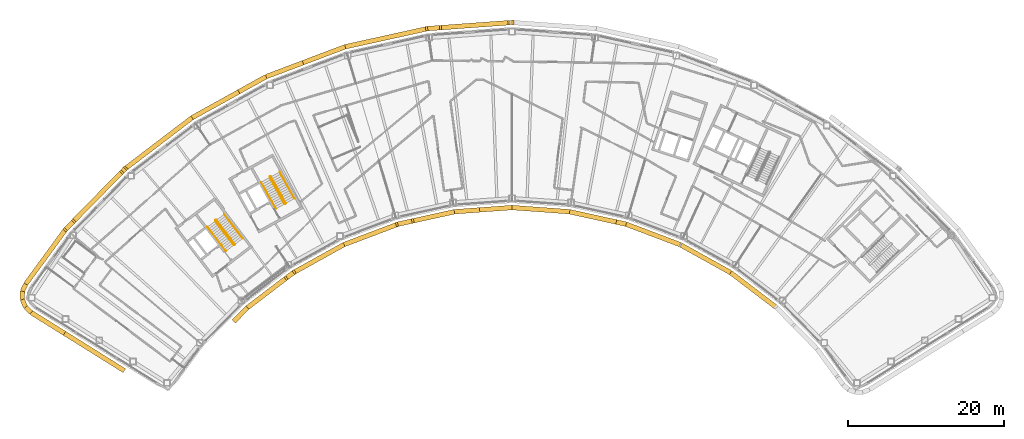
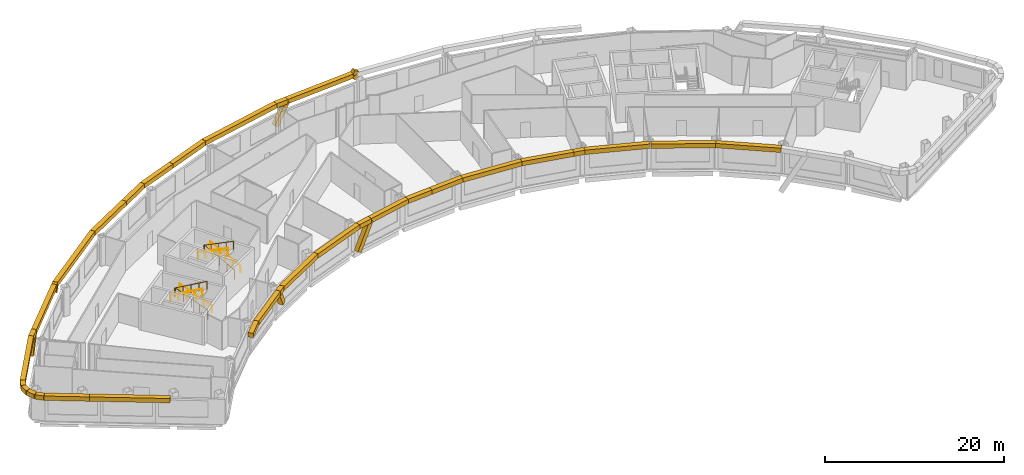
# One storey, part 13 of 14: 40 coverings, 6 railings.
"""IFC4 building model written with IfcOpenShell, lengths in metres."""

from ifc_helpers import new_model, si_unit, direction, frame, origin, origin_2d, place, context, subcontext, project, spatial, rectangle, circle, extrude, material, material_profile, profile_set, type_object, element, save


model = new_model("IFC4")

# Units and contexts
model_context = context("Model", 3, precision=1e-05, world=origin(), true_north=direction((0.0, 1.0)))
body_context = subcontext(model_context, "Body", "Model", "MODEL_VIEW")
ifc_project = project(units=[si_unit("LENGTHUNIT", "METRE"), si_unit("AREAUNIT", "SQUARE_METRE"), si_unit("VOLUMEUNIT", "CUBIC_METRE"), si_unit("PLANEANGLEUNIT", "RADIAN"), si_unit("MASSUNIT", "GRAM", prefix="KILO")], contexts=[model_context])

# Site, building, storey
site_placement = place(None, origin())
site = spatial("IfcSite", under=ifc_project, at=site_placement, CompositionType="ELEMENT")
building_placement = place(site_placement, origin())
building = spatial("IfcBuilding", under=site, at=building_placement, Name="Tuul Gate Civic Tower", CompositionType="ELEMENT")
storey_placement = place(building_placement, frame((0.0, 0.0, 323.89990234375)))
storey = spatial("IfcBuildingStorey", under=building, at=storey_placement, Name="Level 73", CompositionType="ELEMENT", Elevation=323.89990234375)

# Railings
ifc_material_1 = material(Name="Painted steel", Category="steel")
railing_type_1 = type_object("IfcRailingType", Name="Stair guard", PredefinedType="GUARDRAIL", material=ifc_material_1)
railing_1_placement = place(storey_placement, frame((-33.382080078125, -13.515380859375, 0.0)))
element("IfcRailing", 1, at=railing_1_placement, inside=storey, type_object=railing_type_1, Name="Level 73 ST-1 stair guard 1", PredefinedType="GUARDRAIL", context=body_context, shape_type="SweptSolid", body=[
    extrude(circle(Radius=0.02392578125, at=origin_2d()), frame((0.0, 0.0, 1.076171875), z_axis=(-0.795879841968, -0.605454603706, 0.0), x_axis=(0.605454603706, -0.795879841968, 0.0)), (0.0, 0.0, 1.0), 0.10009765625),
    extrude(circle(Radius=0.02392578125, at=origin_2d()), frame((-0.07958984375, -0.060546875, 1.076171875), z_axis=(0.408676696321, 0.599019267211, 0.688592241747), x_axis=(-0.826063974707, 0.563576356576, 0.0)), (0.0, 0.0, 1.0), 0.218017578125),
    extrude(circle(Radius=0.02392578125, at=origin_2d()), frame((0.009521484375, 0.070068359375, 1.22607421875), z_axis=(-0.541824460341, 0.711645023348, 0.447199748346), x_axis=(-0.795637165283, -0.60577347352, 0.0)), (0.0, 0.0, 1.0), 4.3603515625),
    extrude(circle(Radius=0.02392578125, at=origin_2d()), frame((-2.35302734375, 3.173095703125, 3.17626953125), z_axis=(-0.990893089246, 0.134650977284, 0.0), x_axis=(-0.134650977284, -0.990893089246, 0.0)), (0.0, 0.0, 1.0), 0.07080078125),
    extrude(circle(Radius=0.02392578125, at=origin_2d()), frame((-2.423095703125, 3.1826171875, 3.17626953125), z_axis=(-0.793802879778, -0.60817512943, 0.0), x_axis=(0.60817512943, -0.793802879778, 0.0)), (0.0, 0.0, 1.0), 0.099853515625),
    extrude(circle(Radius=0.02392578125, at=origin_2d()), frame((-2.50244140625, 3.121826171875, 3.17626953125), z_axis=(-0.057447065493, -0.422751481959, 0.904423031091), x_axis=(0.990893089246, -0.134650977284, 0.0)), (0.0, 0.0, 1.0), 0.165771484375),
    extrude(circle(Radius=0.02392578125, at=origin_2d()), frame((-2.511962890625, 3.0517578125, 3.326171875), z_axis=(0.541792925989, -0.711621155064, 0.447275929392), x_axis=(0.795644365679, 0.605764016233, 0.0)), (0.0, 0.0, 1.0), 4.360107421875),
    extrude(circle(Radius=0.02099609375, at=origin_2d()), origin(), (0.0, 0.0, 1.0), 1.052001953125),
    extrude(circle(Radius=0.02099609375, at=origin_2d()), frame((-0.07958984375, -0.060546875, 0.0)), (0.0, 0.0, 1.0), 1.052001953125),
    extrude(circle(Radius=0.02099609375, at=origin_2d()), frame((0.009521484375, 0.070068359375, 0.150146484375)), (0.0, 0.0, 1.0), 1.052001953125),
    extrude(circle(Radius=0.02099609375, at=origin_2d()), frame((-0.5810546875, 0.845703125, 0.6376953125)), (0.0, 0.0, 1.0), 1.052001953125),
    extrude(circle(Radius=0.02099609375, at=origin_2d()), frame((-1.171875, 1.62158203125, 1.125)), (0.0, 0.0, 1.0), 1.052001953125),
    extrude(circle(Radius=0.02099609375, at=origin_2d()), frame((-1.762451171875, 2.3974609375, 1.612548828125)), (0.0, 0.0, 1.0), 1.052001953125),
    extrude(circle(Radius=0.02099609375, at=origin_2d()), frame((-2.35302734375, 3.173095703125, 2.10009765625)), (0.0, 0.0, 1.0), 1.052001953125),
    extrude(circle(Radius=0.02099609375, at=origin_2d()), frame((-2.423095703125, 3.1826171875, 2.10009765625)), (0.0, 0.0, 1.0), 1.052001953125),
    extrude(circle(Radius=0.02099609375, at=origin_2d()), frame((-2.50244140625, 3.121826171875, 2.10009765625)), (0.0, 0.0, 1.0), 1.052001953125),
    extrude(circle(Radius=0.02099609375, at=origin_2d()), frame((-2.511962890625, 3.0517578125, 2.25)), (0.0, 0.0, 1.0), 1.052001953125),
    extrude(circle(Radius=0.02099609375, at=origin_2d()), frame((-1.92138671875, 2.276123046875, 2.737548828125)), (0.0, 0.0, 1.0), 1.052001953125),
    extrude(circle(Radius=0.02099609375, at=origin_2d()), frame((-1.330810546875, 1.50048828125, 3.22509765625)), (0.0, 0.0, 1.0), 1.052001953125),
    extrude(circle(Radius=0.02099609375, at=origin_2d()), frame((-0.740234375, 0.724609375, 3.712646484375)), (0.0, 0.0, 1.0), 1.052001953125),
    extrude(circle(Radius=0.02099609375, at=origin_2d()), frame((-0.149658203125, -0.051025390625, 4.2001953125)), (0.0, 0.0, 1.0), 1.052001953125),
])
railing_2_placement = place(storey_placement, frame((-26.857666015625, -8.247314453125, 0.0)))
element("IfcRailing", 2, at=railing_2_placement, inside=storey, type_object=railing_type_1, Name="Level 73 ST-2 stair guard 1", PredefinedType="GUARDRAIL", context=body_context, shape_type="SweptSolid", body=[
    extrude(circle(Radius=0.02392578125, at=origin_2d()), frame((0.0, 0.0, 1.076171875), z_axis=(-0.874616555828, -0.48481530532, 0.0), x_axis=(0.48481530532, -0.874616555828, 0.0)), (0.0, 0.0, 1.0), 0.10009765625),
    extrude(circle(Radius=0.02392578125, at=origin_2d()), frame((-0.087646484375, -0.048583984375, 1.076171875), z_axis=(0.490435707169, 0.534104639999, 0.688625479244), x_axis=(-0.736576986774, 0.676353711126, 0.0)), (0.0, 0.0, 1.0), 0.218017578125),
    extrude(circle(Radius=0.02392578125, at=origin_2d()), frame((0.019287109375, 0.06787109375, 1.22607421875), z_axis=(-0.43354991378, 0.782327185242, 0.447212083348), x_axis=(-0.874667644053, -0.484723129681, 0.0)), (0.0, 0.0, 1.0), 4.3603515625),
    extrude(circle(Radius=0.02392578125, at=origin_2d()), frame((-1.87109375, 3.47900390625, 3.17626953125), z_axis=(-0.961263487578, 0.275631107549, 0.0), x_axis=(-0.275631107549, -0.961263487578, 0.0)), (0.0, 0.0, 1.0), 0.07080078125),
    extrude(circle(Radius=0.02392578125, at=origin_2d()), frame((-1.939208984375, 3.49853515625, 3.17626953125), z_axis=(-0.874042088414, -0.485850211157, 0.0), x_axis=(0.485850211157, -0.874042088414, 0.0)), (0.0, 0.0, 1.0), 0.10009765625),
    extrude(circle(Radius=0.02392578125, at=origin_2d()), frame((-2.026611328125, 3.449951171875, 3.17626953125), z_axis=(-0.117866478395, -0.409586012422, 0.90462522168), x_axis=(0.961000426733, -0.276546885391, 0.0)), (0.0, 0.0, 1.0), 0.165771484375),
    extrude(circle(Radius=0.02392578125, at=origin_2d()), frame((-2.046142578125, 3.382080078125, 3.326171875), z_axis=(0.433584522764, -0.782288604346, 0.447246018574), x_axis=(0.874641102302, 0.484771020343, 0.0)), (0.0, 0.0, 1.0), 4.3603515625),
    extrude(circle(Radius=0.02099609375, at=origin_2d()), origin(), (0.0, 0.0, 1.0), 1.052001953125),
    extrude(circle(Radius=0.02099609375, at=origin_2d()), frame((-0.087646484375, -0.048583984375, 0.0)), (0.0, 0.0, 1.0), 1.052001953125),
    extrude(circle(Radius=0.02099609375, at=origin_2d()), frame((0.019287109375, 0.06787109375, 0.150146484375)), (0.0, 0.0, 1.0), 1.052001953125),
    extrude(circle(Radius=0.02099609375, at=origin_2d()), frame((-0.453369140625, 0.920654296875, 0.6376953125)), (0.0, 0.0, 1.0), 1.052001953125),
    extrude(circle(Radius=0.02099609375, at=origin_2d()), frame((-0.92578125, 1.7734375, 1.125)), (0.0, 0.0, 1.0), 1.052001953125),
    extrude(circle(Radius=0.02099609375, at=origin_2d()), frame((-1.3984375, 2.626220703125, 1.612548828125)), (0.0, 0.0, 1.0), 1.052001953125),
    extrude(circle(Radius=0.02099609375, at=origin_2d()), frame((-1.87109375, 3.47900390625, 2.10009765625)), (0.0, 0.0, 1.0), 1.052001953125),
    extrude(circle(Radius=0.02099609375, at=origin_2d()), frame((-1.939208984375, 3.49853515625, 2.10009765625)), (0.0, 0.0, 1.0), 1.052001953125),
    extrude(circle(Radius=0.02099609375, at=origin_2d()), frame((-2.026611328125, 3.449951171875, 2.10009765625)), (0.0, 0.0, 1.0), 1.052001953125),
    extrude(circle(Radius=0.02099609375, at=origin_2d()), frame((-2.046142578125, 3.382080078125, 2.25)), (0.0, 0.0, 1.0), 1.052001953125),
    extrude(circle(Radius=0.02099609375, at=origin_2d()), frame((-1.573486328125, 2.529296875, 2.737548828125)), (0.0, 0.0, 1.0), 1.052001953125),
    extrude(circle(Radius=0.02099609375, at=origin_2d()), frame((-1.100830078125, 1.676513671875, 3.22509765625)), (0.0, 0.0, 1.0), 1.052001953125),
    extrude(circle(Radius=0.02099609375, at=origin_2d()), frame((-0.628173828125, 0.82373046875, 3.712646484375)), (0.0, 0.0, 1.0), 1.052001953125),
    extrude(circle(Radius=0.02099609375, at=origin_2d()), frame((-0.155517578125, -0.029052734375, 4.2001953125)), (0.0, 0.0, 1.0), 1.052001953125),
])
ifc_material_2 = material(Name="Painted steel", Category="steel")
railing_type_2 = type_object("IfcRailingType", Name="Stair handrail", PredefinedType="HANDRAIL", material=ifc_material_2)
railing_3_placement = place(storey_placement, frame((-32.3779296875, -12.688232421875, 0.150146484375)))
element("IfcRailing", 3, at=railing_3_placement, inside=storey, type_object=railing_type_2, Name="Level 73 ST-1 stair handrail 1", PredefinedType="HANDRAIL", context=body_context, shape_type="SweptSolid", body=[
    extrude(circle(Radius=0.02392578125, at=origin_2d()), frame((0.0, 0.0, 0.8759765625), z_axis=(-0.541824460341, 0.711645023348, 0.447199748346), x_axis=(-0.795637165283, -0.60577347352, 0.0)), (0.0, 0.0, 1.0), 4.3603515625),
    extrude(circle(Radius=0.02099609375, at=origin_2d()), origin(), (0.0, 0.0, 1.0), 0.851806640625),
    extrude(circle(Radius=0.02099609375, at=origin_2d()), frame((-0.590576171875, 0.77587890625, 0.487548828125)), (0.0, 0.0, 1.0), 0.851806640625),
    extrude(circle(Radius=0.02099609375, at=origin_2d()), frame((-1.18115234375, 1.551513671875, 0.97509765625)), (0.0, 0.0, 1.0), 0.851806640625),
    extrude(circle(Radius=0.02099609375, at=origin_2d()), frame((-1.77197265625, 2.3271484375, 1.46240234375)), (0.0, 0.0, 1.0), 0.851806640625),
    extrude(circle(Radius=0.02099609375, at=origin_2d()), frame((-2.362548828125, 3.10302734375, 1.949951171875)), (0.0, 0.0, 1.0), 0.851806640625),
])
railing_4_placement = place(storey_placement, frame((-36.888671875, -11.220703125, 2.25)))
element("IfcRailing", 4, at=railing_4_placement, inside=storey, type_object=railing_type_2, Name="Level 73 ST-1 stair handrail 2", PredefinedType="HANDRAIL", context=body_context, shape_type="SweptSolid", body=[
    extrude(circle(Radius=0.02392578125, at=origin_2d()), frame((0.0, 0.0, 0.8759765625), z_axis=(0.541810893183, -0.711627203922, 0.44724454012), x_axis=(0.795637165283, 0.60577347352, 0.0)), (0.0, 0.0, 1.0), 4.3603515625),
    extrude(circle(Radius=0.02099609375, at=origin_2d()), origin(), (0.0, 0.0, 1.0), 0.851806640625),
    extrude(circle(Radius=0.02099609375, at=origin_2d()), frame((0.590576171875, -0.77587890625, 0.487548828125)), (0.0, 0.0, 1.0), 0.851806640625),
    extrude(circle(Radius=0.02099609375, at=origin_2d()), frame((1.18115234375, -1.551513671875, 0.97509765625)), (0.0, 0.0, 1.0), 0.851806640625),
    extrude(circle(Radius=0.02099609375, at=origin_2d()), frame((1.77197265625, -2.3271484375, 1.462646484375)), (0.0, 0.0, 1.0), 0.851806640625),
    extrude(circle(Radius=0.02099609375, at=origin_2d()), frame((2.362548828125, -3.10302734375, 1.9501953125)), (0.0, 0.0, 1.0), 0.851806640625),
])
railing_5_placement = place(storey_placement, frame((-25.744873046875, -7.573486328125, 0.150146484375)))
element("IfcRailing", 5, at=railing_5_placement, inside=storey, type_object=railing_type_2, Name="Level 73 ST-2 stair handrail 1", PredefinedType="HANDRAIL", context=body_context, shape_type="SweptSolid", body=[
    extrude(circle(Radius=0.02392578125, at=origin_2d()), frame((0.0, 0.0, 0.8759765625), z_axis=(-0.433595379963, 0.782308193291, 0.447201226726), x_axis=(-0.874641102302, -0.484771020343, 0.0)), (0.0, 0.0, 1.0), 4.3603515625),
    extrude(circle(Radius=0.02099609375, at=origin_2d()), origin(), (0.0, 0.0, 1.0), 0.851806640625),
    extrude(circle(Radius=0.02099609375, at=origin_2d()), frame((-0.47265625, 0.852783203125, 0.487548828125)), (0.0, 0.0, 1.0), 0.851806640625),
    extrude(circle(Radius=0.02099609375, at=origin_2d()), frame((-0.9453125, 1.70556640625, 0.97509765625)), (0.0, 0.0, 1.0), 0.851806640625),
    extrude(circle(Radius=0.02099609375, at=origin_2d()), frame((-1.41796875, 2.558349609375, 1.46240234375)), (0.0, 0.0, 1.0), 0.851806640625),
    extrude(circle(Radius=0.02099609375, at=origin_2d()), frame((-1.890625, 3.4111328125, 1.949951171875)), (0.0, 0.0, 1.0), 0.851806640625),
])
railing_6_placement = place(storey_placement, frame((-29.9970703125, -5.47119140625, 2.25)))
element("IfcRailing", 6, at=railing_6_placement, inside=storey, type_object=railing_type_2, Name="Level 73 ST-2 stair handrail 2", PredefinedType="HANDRAIL", context=body_context, shape_type="SweptSolid", body=[
    extrude(circle(Radius=0.02392578125, at=origin_2d()), frame((0.0, 0.0, 0.8759765625), z_axis=(0.433584522764, -0.782288604346, 0.447246018574), x_axis=(0.874641102302, 0.484771020343, 0.0)), (0.0, 0.0, 1.0), 4.3603515625),
    extrude(circle(Radius=0.02099609375, at=origin_2d()), origin(), (0.0, 0.0, 1.0), 0.851806640625),
    extrude(circle(Radius=0.02099609375, at=origin_2d()), frame((0.47265625, -0.852783203125, 0.487548828125)), (0.0, 0.0, 1.0), 0.851806640625),
    extrude(circle(Radius=0.02099609375, at=origin_2d()), frame((0.9453125, -1.70556640625, 0.97509765625)), (0.0, 0.0, 1.0), 0.851806640625),
    extrude(circle(Radius=0.02099609375, at=origin_2d()), frame((1.41796875, -2.558349609375, 1.462646484375)), (0.0, 0.0, 1.0), 0.851806640625),
    extrude(circle(Radius=0.02099609375, at=origin_2d()), frame((1.890625, -3.4111328125, 1.9501953125)), (0.0, 0.0, 1.0), 0.851806640625),
])

# Coverings
ifc_material_3 = material(Name="Terracotta baguette", Category="masonry")
ifc_material_profile = material_profile(ifc_material_3, rectangle(XDim=0.60009765625, YDim=0.60009765625, at=origin_2d()), Name="Terracotta baguette screen frame")
ifc_profile_set = profile_set([ifc_material_profile], Name="Terracotta baguette")
covering_type = type_object("IfcCoveringType", Name="Terracotta baguette screen frame", PredefinedType="CLADDING", material=ifc_profile_set)
for number, where, z_axis, x_axis, name in (
    (7, (2.19189453125, 15.031005859375, 4.348388671875), (-0.473817740473, -0.034490827332, -0.879947232306), (0.072601349588, -0.997361039964, 0.0), "Baguette 70"),
    (8, (1.923583984375, 15.011474609375, 3.85009765625), (0.473817740473, 0.034490827332, -0.879947232306), (-0.072601349588, 0.997361039964, 0.0), "Baguette 73"),
):
    element("IfcCovering", number, at=place(storey_placement, frame(where, z_axis=z_axis, x_axis=x_axis)), inside=storey, type_object=covering_type, Name=name, PredefinedType="CLADDING", context=body_context, shape_type="SweptSolid", body=[
        extrude(rectangle(XDim=0.60009765625, YDim=0.60009765625, at=origin_2d()), origin(), (0.0, 0.0, 1.0), 0.566162109375),
    ])
covering_1_placement = place(storey_placement, frame((1.923583984375, 15.011474609375, 3.85009765625), z_axis=(-0.997388280851, -0.072226153297, 0.0), x_axis=(0.072226153297, -0.997388280851, 0.0)))
element("IfcCovering", 9, at=covering_1_placement, inside=storey, type_object=covering_type, Name="Baguette 75", PredefinedType="CLADDING", context=body_context, shape_type="SweptSolid", body=[
    extrude(rectangle(XDim=0.60009765625, YDim=0.60009765625, at=origin_2d()), origin(), (0.0, 0.0, 1.0), 9.072509765625),
])
covering_2_placement = place(storey_placement, frame((-7.125244140625, 14.356201171875, 3.85009765625), z_axis=(-0.473925270025, -0.034362464834, -0.879894345613), x_axis=(0.072316243879, -0.997381752826, 0.0)))
element("IfcCovering", 10, at=covering_2_placement, inside=storey, type_object=covering_type, Name="Baguette 79", PredefinedType="CLADDING", context=body_context, shape_type="SweptSolid", body=[
    extrude(rectangle(XDim=0.60009765625, YDim=0.60009765625, at=origin_2d()), origin(), (0.0, 0.0, 1.0), 3.17578125),
])
covering_3_placement = place(storey_placement, frame((-24.637939453125, 9.865478515625, 3.85009765625), z_axis=(-0.935351328768, -0.353720075442, 0.0), x_axis=(0.353720075442, -0.935351328768, 0.0)))
element("IfcCovering", 11, at=covering_3_placement, inside=storey, type_object=covering_type, Name="Baguette 96", PredefinedType="CLADDING", context=body_context, shape_type="SweptSolid", body=[
    extrude(rectangle(XDim=0.60009765625, YDim=0.60009765625, at=origin_2d()), origin(), (0.0, 0.0, 1.0), 5.06689453125),
])
covering_4_placement = place(storey_placement, frame((-29.377197265625, 8.0732421875, 3.85009765625), z_axis=(-0.874628361903, -0.484794006312, 0.0), x_axis=(0.484794006312, -0.874628361903, 0.0)))
element("IfcCovering", 12, at=covering_4_placement, inside=storey, type_object=covering_type, Name="Baguette 97", PredefinedType="CLADDING", context=body_context, shape_type="SweptSolid", body=[
    extrude(rectangle(XDim=0.60009765625, YDim=0.60009765625, at=origin_2d()), origin(), (0.0, 0.0, 1.0), 4.005615234375),
])
covering_5_placement = place(storey_placement, frame((-47.81494140625, -4.080810546875, 3.85009765625), z_axis=(0.332463914637, 0.339201297163, -0.880005809905), x_axis=(-0.714163745237, 0.699978674667, 0.0)))
element("IfcCovering", 13, at=covering_5_placement, inside=storey, type_object=covering_type, Name="Baguette 115", PredefinedType="CLADDING", context=body_context, shape_type="SweptSolid", body=[
    extrude(rectangle(XDim=0.60009765625, YDim=0.60009765625, at=origin_2d()), origin(), (0.0, 0.0, 1.0), 0.942138671875),
])
covering_6_placement = place(storey_placement, frame((-47.81494140625, -4.080810546875, 3.85009765625), z_axis=(-0.700034819682, -0.714108711075, 0.0), x_axis=(0.714108711075, -0.700034819682, 0.0)))
element("IfcCovering", 14, at=covering_6_placement, inside=storey, type_object=covering_type, Name="Baguette 117", PredefinedType="CLADDING", context=body_context, shape_type="SweptSolid", body=[
    extrude(rectangle(XDim=0.60009765625, YDim=0.60009765625, at=origin_2d()), origin(), (0.0, 0.0, 1.0), 9.072509765625),
])
covering_7_placement = place(storey_placement, frame((-54.166015625, -10.5595703125, 3.85009765625), z_axis=(-0.33267215135, -0.339297697341, -0.879889943285), x_axis=(0.714044065429, -0.70010075891, 0.0)))
element("IfcCovering", 15, at=covering_7_placement, inside=storey, type_object=covering_type, Name="Baguette 121", PredefinedType="CLADDING", context=body_context, shape_type="SweptSolid", body=[
    extrude(rectangle(XDim=0.60009765625, YDim=0.60009765625, at=origin_2d()), origin(), (0.0, 0.0, 1.0), 2.800537109375),
])
covering_8_placement = place(storey_placement, frame((-55.253662109375, -24.88232421875, 3.85009765625), z_axis=(0.848051326016, -0.529914095342, 0.0), x_axis=(0.529914095342, 0.848051326016, 0.0)))
element("IfcCovering", 16, at=covering_8_placement, inside=storey, type_object=covering_type, Name="Baguette 150", PredefinedType="CLADDING", context=body_context, shape_type="SweptSolid", body=[
    extrude(rectangle(XDim=0.60009765625, YDim=0.60009765625, at=origin_2d()), origin(), (0.0, 0.0, 1.0), 9.052978515625),
])
covering_9_placement = place(storey_placement, frame((-33.515869140625, -23.349853515625, 3.85009765625), z_axis=(0.700137306503, 0.714008229675, 0.0), x_axis=(-0.714008229675, 0.700137306503, 0.0)))
element("IfcCovering", 17, at=covering_9_placement, inside=storey, type_object=covering_type, Name="Baguette 181", PredefinedType="CLADDING", context=body_context, shape_type="SweptSolid", body=[
    extrude(rectangle(XDim=0.60009765625, YDim=0.60009765625, at=origin_2d()), origin(), (0.0, 0.0, 1.0), 2.481689453125),
])
covering_10_placement = place(storey_placement, frame((-31.7783203125, -21.577880859375, 3.85009765625), z_axis=(0.795568060783, 0.60586422626, 0.0), x_axis=(-0.60586422626, 0.795568060783, 0.0)))
element("IfcCovering", 18, at=covering_10_placement, inside=storey, type_object=covering_type, Name="Baguette 182", PredefinedType="CLADDING", context=body_context, shape_type="SweptSolid", body=[
    extrude(rectangle(XDim=0.60009765625, YDim=0.60009765625, at=origin_2d()), origin(), (0.0, 0.0, 1.0), 6.370361328125),
])
covering_11_placement = place(storey_placement, frame((-26.710205078125, -17.71826171875, 3.85009765625), z_axis=(0.370809590506, 0.282480203725, -0.884706268822), x_axis=(-0.605987035724, 0.795474520356, 0.0)))
element("IfcCovering", 19, at=covering_11_placement, inside=storey, type_object=covering_type, Name="Baguette 186", PredefinedType="CLADDING", context=body_context, shape_type="SweptSolid", body=[
    extrude(rectangle(XDim=0.60009765625, YDim=0.60009765625, at=origin_2d()), origin(), (0.0, 0.0, 1.0), 2.2470703125),
])
covering_12_placement = place(storey_placement, frame((-10.672607421875, -10.471923828125, 3.85009765625), z_axis=(-0.455229347503, -0.100335498866, -0.884702791247), x_axis=(0.215240395152, -0.976561095014, 0.0)))
element("IfcCovering", 20, at=covering_12_placement, inside=storey, type_object=covering_type, Name="Baguette 204", PredefinedType="CLADDING", context=body_context, shape_type="SweptSolid", body=[
    extrude(rectangle(XDim=0.60009765625, YDim=0.60009765625, at=origin_2d()), origin(), (0.0, 0.0, 1.0), 3.9052734375),
])
covering_13_placement = place(storey_placement, frame((-10.672607421875, -10.471923828125, 3.85009765625), z_axis=(0.97655816768, 0.215253676247, 0.0), x_axis=(-0.215253676247, 0.97655816768, 0.0)))
element("IfcCovering", 21, at=covering_13_placement, inside=storey, type_object=covering_type, Name="Baguette 206", PredefinedType="CLADDING", context=body_context, shape_type="SweptSolid", body=[
    extrude(rectangle(XDim=0.60009765625, YDim=0.60009765625, at=origin_2d()), origin(), (0.0, 0.0, 1.0), 5.59716796875),
])
covering_14_placement = place(storey_placement, frame((-5.20654296875, -9.26708984375, 3.85009765625), z_axis=(0.997387381497, 0.072238571629, 0.0), x_axis=(-0.072238571629, 0.997387381497, 0.0)))
element("IfcCovering", 22, at=covering_14_placement, inside=storey, type_object=covering_type, Name="Baguette 207", PredefinedType="CLADDING", context=body_context, shape_type="SweptSolid", body=[
    extrude(rectangle(XDim=0.60009765625, YDim=0.60009765625, at=origin_2d()), origin(), (0.0, 0.0, 1.0), 3.254638671875),
])
covering_15_placement = place(storey_placement, frame((15.569580078125, -10.5849609375, 3.85009765625), z_axis=(0.976558162371, -0.215253700333, 0.0), x_axis=(0.215253700333, 0.976558162371, 0.0)))
element("IfcCovering", 23, at=covering_15_placement, inside=storey, type_object=covering_type, Name="Baguette 229", PredefinedType="CLADDING", context=body_context, shape_type="SweptSolid", body=[
    extrude(rectangle(XDim=0.60009765625, YDim=0.60009765625, at=origin_2d()), origin(), (0.0, 0.0, 1.0), 1.295166015625),
])
covering_16_placement = place(storey_placement, frame((16.83447265625, -10.86376953125, 3.85009765625), z_axis=(0.935368082117, -0.353675770951, 0.0), x_axis=(0.353675770951, 0.935368082117, 0.0)))
element("IfcCovering", 24, at=covering_16_placement, inside=storey, type_object=covering_type, Name="Baguette 230", PredefinedType="CLADDING", context=body_context, shape_type="SweptSolid", body=[
    extrude(rectangle(XDim=0.60009765625, YDim=0.60009765625, at=origin_2d()), origin(), (0.0, 0.0, 1.0), 7.41796875),
])
covering_17_placement = place(storey_placement, frame((-7.125244140625, 14.356201171875, 3.85009765625), z_axis=(-0.997381752826, -0.072316243879, 0.0), x_axis=(0.072316243879, -0.997381752826, 0.0)))
element("IfcCovering", 25, at=covering_17_placement, inside=storey, type_object=covering_type, Name="Baguette 305", PredefinedType="CLADDING", context=body_context, shape_type="SweptSolid", body=[
    extrude(rectangle(XDim=0.60009765625, YDim=0.60009765625, at=origin_2d()), origin(), (0.0, 0.0, 1.0), 1.509033203125),
])
covering_18_placement = place(storey_placement, frame((-8.63037109375, 14.2470703125, 3.85009765625), z_axis=(-0.976565652409, -0.215219716881, 0.0), x_axis=(0.215219716881, -0.976565652409, 0.0)))
element("IfcCovering", 26, at=covering_18_placement, inside=storey, type_object=covering_type, Name="Baguette 306", PredefinedType="CLADDING", context=body_context, shape_type="SweptSolid", body=[
    extrude(rectangle(XDim=0.60009765625, YDim=0.60009765625, at=origin_2d()), origin(), (0.0, 0.0, 1.0), 10.8515625),
])
covering_19_placement = place(storey_placement, frame((-19.2275390625, 11.91162109375, 3.85009765625), z_axis=(-0.93534552268, -0.353735428256, 0.0), x_axis=(0.353735428256, -0.93534552268, 0.0)))
element("IfcCovering", 27, at=covering_19_placement, inside=storey, type_object=covering_type, Name="Baguette 307", PredefinedType="CLADDING", context=body_context, shape_type="SweptSolid", body=[
    extrude(rectangle(XDim=0.60009765625, YDim=0.60009765625, at=origin_2d()), origin(), (0.0, 0.0, 1.0), 5.784423828125),
])
covering_20_placement = place(storey_placement, frame((-32.880615234375, 6.13134765625, 3.85009765625), z_axis=(-0.874626201683, -0.484797903595, 0.0), x_axis=(0.484797903595, -0.874626201683, 0.0)))
element("IfcCovering", 28, at=covering_20_placement, inside=storey, type_object=covering_type, Name="Baguette 311", PredefinedType="CLADDING", context=body_context, shape_type="SweptSolid", body=[
    extrude(rectangle(XDim=0.60009765625, YDim=0.60009765625, at=origin_2d()), origin(), (0.0, 0.0, 1.0), 6.845947265625),
])
covering_21_placement = place(storey_placement, frame((-38.8681640625, 2.8125, 3.85009765625), z_axis=(-0.795618643442, -0.605797799771, 0.0), x_axis=(0.605797799771, -0.795618643442, 0.0)))
element("IfcCovering", 29, at=covering_21_placement, inside=storey, type_object=covering_type, Name="Baguette 312", PredefinedType="CLADDING", context=body_context, shape_type="SweptSolid", body=[
    extrude(rectangle(XDim=0.60009765625, YDim=0.60009765625, at=origin_2d()), origin(), (0.0, 0.0, 1.0), 10.851318359375),
])
covering_22_placement = place(storey_placement, frame((-47.501708984375, -3.76123046875, 3.85009765625), z_axis=(-0.699978674667, -0.714163745237, 0.0), x_axis=(0.714163745237, -0.699978674667, 0.0)))
element("IfcCovering", 30, at=covering_22_placement, inside=storey, type_object=covering_type, Name="Baguette 313", PredefinedType="CLADDING", context=body_context, shape_type="SweptSolid", body=[
    extrude(rectangle(XDim=0.60009765625, YDim=0.60009765625, at=origin_2d()), origin(), (0.0, 0.0, 1.0), 0.447509765625),
])
covering_23_placement = place(storey_placement, frame((-54.166015625, -10.5595703125, 3.85009765625), z_axis=(-0.70010075891, -0.714044065429, 0.0), x_axis=(0.714044065429, -0.70010075891, 0.0)))
element("IfcCovering", 31, at=covering_23_placement, inside=storey, type_object=covering_type, Name="Baguette 317", PredefinedType="CLADDING", context=body_context, shape_type="SweptSolid", body=[
    extrude(rectangle(XDim=0.60009765625, YDim=0.60009765625, at=origin_2d()), origin(), (0.0, 0.0, 1.0), 1.330810546875),
])
covering_24_placement = place(storey_placement, frame((-55.09765625, -11.509765625, 3.85009765625), z_axis=(-0.589759370017, -0.807579027388, 0.0), x_axis=(0.807579027388, -0.589759370017, 0.0)))
element("IfcCovering", 32, at=covering_24_placement, inside=storey, type_object=covering_type, Name="Baguette 318", PredefinedType="CLADDING", context=body_context, shape_type="SweptSolid", body=[
    extrude(rectangle(XDim=0.60009765625, YDim=0.60009765625, at=origin_2d()), origin(), (0.0, 0.0, 1.0), 8.734619140625),
])
covering_25_placement = place(storey_placement, frame((-60.2490234375, -18.563720703125, 3.85009765625), z_axis=(-0.413598168861, -0.910459529422, 0.0), x_axis=(0.910459529422, -0.413598168861, 0.0)))
element("IfcCovering", 33, at=covering_25_placement, inside=storey, type_object=covering_type, Name="Baguette 319", PredefinedType="CLADDING", context=body_context, shape_type="SweptSolid", body=[
    extrude(rectangle(XDim=0.60009765625, YDim=0.60009765625, at=origin_2d()), origin(), (0.0, 0.0, 1.0), 0.988037109375),
])
covering_26_placement = place(storey_placement, frame((-60.65771484375, -19.46337890625, 3.85009765625), z_axis=(-0.014401798397, -0.999896288723, 0.0), x_axis=(0.999896288723, -0.014401798397, 0.0)))
element("IfcCovering", 34, at=covering_26_placement, inside=storey, type_object=covering_type, Name="Baguette 320", PredefinedType="CLADDING", context=body_context, shape_type="SweptSolid", body=[
    extrude(rectangle(XDim=0.60009765625, YDim=0.60009765625, at=origin_2d()), origin(), (0.0, 0.0, 1.0), 1.06787109375),
])
covering_27_placement = place(storey_placement, frame((-60.673095703125, -20.53125, 3.85009765625), z_axis=(0.38567152588, -0.92263615479, 0.0), x_axis=(0.92263615479, 0.38567152588, 0.0)))
element("IfcCovering", 35, at=covering_27_placement, inside=storey, type_object=covering_type, Name="Baguette 321", PredefinedType="CLADDING", context=body_context, shape_type="SweptSolid", body=[
    extrude(rectangle(XDim=0.60009765625, YDim=0.60009765625, at=origin_2d()), origin(), (0.0, 0.0, 1.0), 1.066650390625),
])
covering_28_placement = place(storey_placement, frame((-60.26171875, -21.515380859375, 3.85009765625), z_axis=(0.722013911671, -0.691878538006, 0.0), x_axis=(0.691878538006, 0.722013911671, 0.0)))
element("IfcCovering", 36, at=covering_28_placement, inside=storey, type_object=covering_type, Name="Baguette 322", PredefinedType="CLADDING", context=body_context, shape_type="SweptSolid", body=[
    extrude(rectangle(XDim=0.60009765625, YDim=0.60009765625, at=origin_2d()), origin(), (0.0, 0.0, 1.0), 0.98828125),
])
covering_29_placement = place(storey_placement, frame((-59.548095703125, -22.19921875, 3.85009765625), z_axis=(0.848079553138, -0.529868919215, 0.0), x_axis=(0.529868919215, 0.848079553138, 0.0)))
element("IfcCovering", 37, at=covering_29_placement, inside=storey, type_object=covering_type, Name="Baguette 323", PredefinedType="CLADDING", context=body_context, shape_type="SweptSolid", body=[
    extrude(rectangle(XDim=0.60009765625, YDim=0.60009765625, at=origin_2d()), origin(), (0.0, 0.0, 1.0), 5.063720703125),
])
covering_30_placement = place(storey_placement, frame((-26.710205078125, -17.71826171875, 3.85009765625), z_axis=(0.795474520356, 0.605987035724, 0.0), x_axis=(-0.605987035724, 0.795474520356, 0.0)))
element("IfcCovering", 38, at=covering_30_placement, inside=storey, type_object=covering_type, Name="Baguette 342", PredefinedType="CLADDING", context=body_context, shape_type="SweptSolid", body=[
    extrude(rectangle(XDim=0.60009765625, YDim=0.60009765625, at=origin_2d()), origin(), (0.0, 0.0, 1.0), 1.047607421875),
])
for number, where, z_axis, x_axis, name in (
    (39, (-25.876953125, -17.08349609375, 3.85009765625), (0.874630355477, 0.48479040964, 0.0), (-0.48479040964, 0.874630355477, 0.0), "Baguette 343"),
    (40, (-19.388916015625, -13.4873046875, 3.85009765625), (0.935368082117, 0.353675770951, 0.0), (-0.353675770951, 0.935368082117, 0.0), "Baguette 344"),
):
    element("IfcCovering", number, at=place(storey_placement, frame(where, z_axis=z_axis, x_axis=x_axis)), inside=storey, type_object=covering_type, Name=name, PredefinedType="CLADDING", context=body_context, shape_type="SweptSolid", body=[
        extrude(rectangle(XDim=0.60009765625, YDim=0.60009765625, at=origin_2d()), origin(), (0.0, 0.0, 1.0), 7.41796875),
    ])
covering_31_placement = place(storey_placement, frame((-12.450439453125, -10.86376953125, 3.85009765625), z_axis=(0.976561095014, 0.215240395152, 0.0), x_axis=(-0.215240395152, 0.976561095014, 0.0)))
element("IfcCovering", 41, at=covering_31_placement, inside=storey, type_object=covering_type, Name="Baguette 345", PredefinedType="CLADDING", context=body_context, shape_type="SweptSolid", body=[
    extrude(rectangle(XDim=0.60009765625, YDim=0.60009765625, at=origin_2d()), origin(), (0.0, 0.0, 1.0), 1.820556640625),
])
covering_32_placement = place(storey_placement, frame((-1.96044921875, -9.031982421875, 3.85009765625), z_axis=(0.997382528722, 0.072305541975, 0.0), x_axis=(-0.072305541975, 0.997382528722, 0.0)))
element("IfcCovering", 42, at=covering_32_placement, inside=storey, type_object=covering_type, Name="Baguette 354", PredefinedType="CLADDING", context=body_context, shape_type="SweptSolid", body=[
    extrude(rectangle(XDim=0.60009765625, YDim=0.60009765625, at=origin_2d()), origin(), (0.0, 0.0, 1.0), 4.163330078125),
])
covering_33_placement = place(storey_placement, frame((2.19189453125, -8.73095703125, 3.85009765625), z_axis=(0.997384830366, -0.072273786091, 0.0), x_axis=(0.072273786091, 0.997384830366, 0.0)))
element("IfcCovering", 43, at=covering_33_placement, inside=storey, type_object=covering_type, Name="Baguette 355", PredefinedType="CLADDING", context=body_context, shape_type="SweptSolid", body=[
    extrude(rectangle(XDim=0.60009765625, YDim=0.60009765625, at=origin_2d()), origin(), (0.0, 0.0, 1.0), 7.41796875),
])
covering_34_placement = place(storey_placement, frame((9.590576171875, -9.26708984375, 3.85009765625), z_axis=(0.976559039251, -0.215249722086, 0.0), x_axis=(0.215249722086, 0.976559039251, 0.0)))
element("IfcCovering", 44, at=covering_34_placement, inside=storey, type_object=covering_type, Name="Baguette 356", PredefinedType="CLADDING", context=body_context, shape_type="SweptSolid", body=[
    extrude(rectangle(XDim=0.60009765625, YDim=0.60009765625, at=origin_2d()), origin(), (0.0, 0.0, 1.0), 6.12255859375),
])
covering_35_placement = place(storey_placement, frame((23.894287109375, -13.5546875, 3.85009765625), z_axis=(0.874637788329, -0.484776999483, 0.0), x_axis=(0.484776999483, 0.874637788329, 0.0)))
element("IfcCovering", 45, at=covering_35_placement, inside=storey, type_object=covering_type, Name="Baguette 363", PredefinedType="CLADDING", context=body_context, shape_type="SweptSolid", body=[
    extrude(rectangle(XDim=0.60009765625, YDim=0.60009765625, at=origin_2d()), origin(), (0.0, 0.0, 1.0), 7.279296875),
])
covering_36_placement = place(storey_placement, frame((30.260986328125, -17.08349609375, 3.85009765625), z_axis=(0.795554853025, -0.605881569144, 0.0), x_axis=(0.605881569144, 0.795554853025, 0.0)))
element("IfcCovering", 46, at=covering_36_placement, inside=storey, type_object=covering_type, Name="Baguette 364", PredefinedType="CLADDING", context=body_context, shape_type="SweptSolid", body=[
    extrude(rectangle(XDim=0.60009765625, YDim=0.60009765625, at=origin_2d()), origin(), (0.0, 0.0, 1.0), 7.41796875),
])

save(model, "model.ifc")
